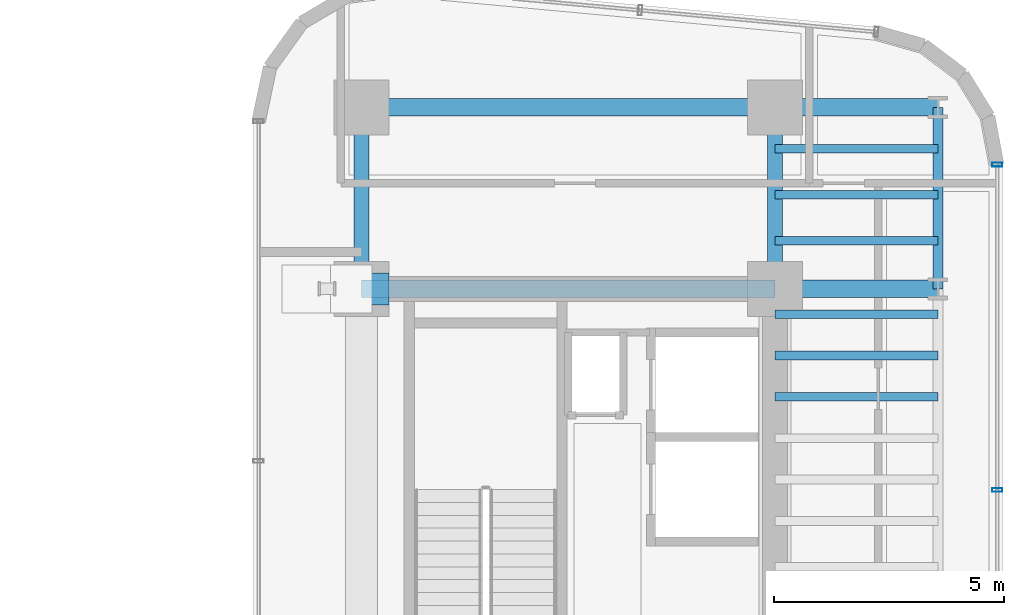
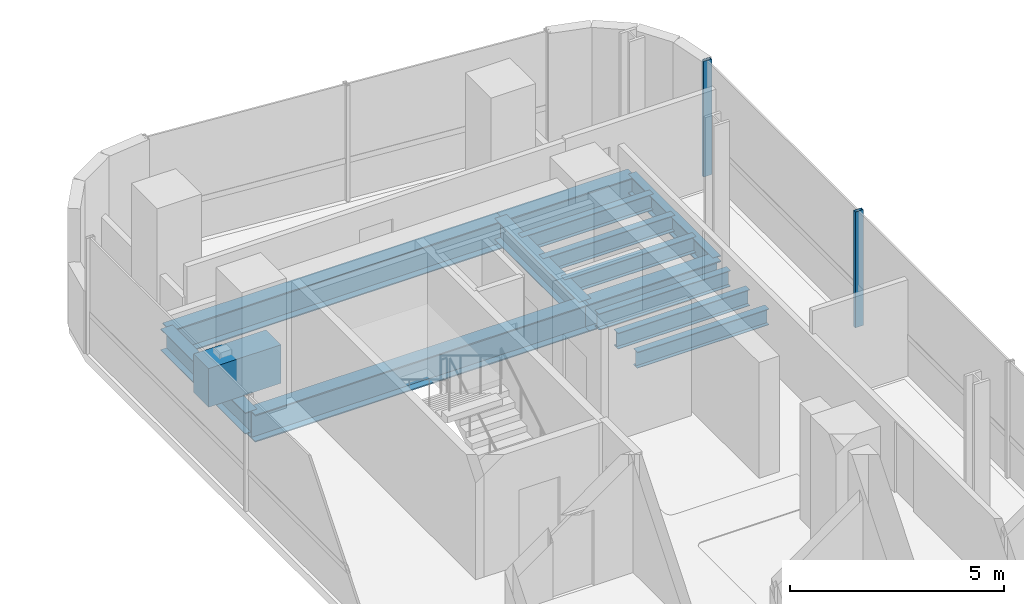
# One storey, part 18 of 35: 14 beams, 2 members, 1 element without a shape of its own.
"""IFC4 building model written with IfcOpenShell, lengths in metres."""

from ifc_helpers import new_model, si_unit, direction, frame, origin, origin_2d, place, context, subcontext, project, spatial, rectangle, hollow_rectangle, i_section, extrude, source, transform, mapped, material, material_profile, profile_set, type_object, element, aggregate, save


model = new_model("IFC4")

# Units and contexts
model_context = context("Model", 3, precision=1e-05, world=origin(), true_north=direction((0.0, 1.0)))
body_context = subcontext(model_context, "Body", "Model", "MODEL_VIEW")
ifc_project = project(units=[si_unit("LENGTHUNIT", "METRE"), si_unit("AREAUNIT", "SQUARE_METRE"), si_unit("VOLUMEUNIT", "CUBIC_METRE"), si_unit("PLANEANGLEUNIT", "RADIAN"), si_unit("MASSUNIT", "GRAM", prefix="KILO")], contexts=[model_context])

# Site, building, storey
site_placement = place(None, origin())
site = spatial("IfcSite", under=ifc_project, at=site_placement, CompositionType="ELEMENT")
building_placement = place(site_placement, origin())
building = spatial("IfcBuilding", under=site, at=building_placement, Name="Valdorenza Pilgrim Sanctuary Tower", CompositionType="ELEMENT")
storey_placement = place(building_placement, frame((0.0, 0.0, 168.60009765625)))
storey = spatial("IfcBuildingStorey", under=building, at=storey_placement, Name="L43", CompositionType="ELEMENT", Elevation=168.60009765625)

# Beams
ifc_material_1 = material(Name="Steel ASTM A992 Grade 50", Category="steel")
ifc_material_profile_1 = material_profile(ifc_material_1, i_section(OverallWidth=0.323974609375, OverallDepth=0.611083984375, WebThickness=0.0126953125, FlangeThickness=0.01904296875, at=origin_2d()), Name="W24X104")
ifc_profile_set_1 = profile_set([ifc_material_profile_1], Name="Steel ASTM A992 Grade 50")
beam_type_1 = type_object("IfcBeamType", Name="STR-BM-GRD-W24B", PredefinedType="BEAM", material=ifc_profile_set_1)
shared_shape_1 = source(origin(), body_context, "Body", "SweptSolid", [
    extrude(i_section(OverallWidth=0.323974609375, OverallDepth=0.611083984375, WebThickness=0.0126953125, FlangeThickness=0.01904296875, at=origin_2d()), origin(), (0.0, 0.0, 1.0), 3.949951171875),
])
for number, where, z_axis, x_axis, name in (
    (1, (15.85009765625, 9.550048828125, -0.545654296875), (0.0, 1.0, 0.0), (-1.0, 0.0, 0.0), "L43 Core Tie Girder CB-W-N1N2"),
    (2, (24.85009765625, 9.550048828125, -0.545654296875), (0.0, 1.0, 0.0), (-1.0, 0.0, 0.0), "L43 Core Tie Girder CB-E-N1N2"),
):
    element("IfcBeam", number, at=place(storey_placement, frame(where, z_axis=z_axis, x_axis=x_axis)), inside=storey, type_object=beam_type_1, Name=name, PredefinedType="BEAM", context=body_context, shape_type="MappedRepresentation", body=[
        mapped(shared_shape_1, transform((0.0, 0.0, 0.0), x_axis=(1.0, 0.0, 0.0), y_axis=(0.0, 1.0, 0.0), z_axis=(0.0, 0.0, 1.0), scale=1.0)),
    ])
ifc_material_profile_2 = material_profile(ifc_material_1, i_section(OverallWidth=0.214111328125, OverallDepth=0.549072265625, WebThickness=0.0146484375, FlangeThickness=0.023681640625, at=origin_2d()), Name="W21X93")
ifc_profile_set_2 = profile_set([ifc_material_profile_2], Name="Steel ASTM A992 Grade 50")
beam_type_2 = type_object("IfcBeamType", Name="STR-BM-SPN-W21A", PredefinedType="SPANDREL", material=ifc_profile_set_2)
shared_shape_2 = source(origin(), body_context, "Body", "SweptSolid", [
    extrude(i_section(OverallWidth=0.214111328125, OverallDepth=0.549072265625, WebThickness=0.0146484375, FlangeThickness=0.023681640625, at=origin_2d()), origin(), (0.0, 0.0, 1.0), 3.949951171875),
])
beam_1_placement = place(storey_placement, frame((28.39990234375, 9.550048828125, -0.5146484375), z_axis=(0.0, 1.0, 0.0), x_axis=(-1.0, 0.0, 0.0)))
element("IfcBeam", 3, at=beam_1_placement, inside=storey, type_object=beam_type_2, Name="L43 Spandrel Beam WB-E-N1N2", PredefinedType="SPANDREL", context=body_context, shape_type="MappedRepresentation", body=[
    mapped(shared_shape_2, transform((0.0, 0.0, 0.0), x_axis=(1.0, 0.0, 0.0), y_axis=(0.0, 1.0, 0.0), z_axis=(0.0, 0.0, 1.0), scale=1.0)),
])
ifc_material_profile_3 = material_profile(ifc_material_1, i_section(OverallWidth=0.382080078125, OverallDepth=0.779052734375, WebThickness=0.01806640625, FlangeThickness=0.030029296875, at=origin_2d()), Name="W30X191")
ifc_profile_set_3 = profile_set([ifc_material_profile_3], Name="Steel ASTM A992 Grade 50")
beam_type_3 = type_object("IfcBeamType", Name="STR-BM-GRD-W30", PredefinedType="BEAM", material=ifc_profile_set_3)
shared_shape_3 = source(origin(), body_context, "Body", "SweptSolid", [
    extrude(i_section(OverallWidth=0.382080078125, OverallDepth=0.779052734375, WebThickness=0.01806640625, FlangeThickness=0.030029296875, at=origin_2d()), origin(), (0.0, 0.0, 1.0), 9.0),
])
for number, where, z_axis, x_axis, name in (
    (4, (15.85009765625, 9.550048828125, -0.629638671875), (1.0, 0.0, 0.0), (0.0, 1.0, 0.0), "L43 Floor Girder CB-XC-N1"),
    (5, (15.85009765625, 13.5, -0.629638671875), (1.0, 0.0, 0.0), (0.0, 1.0, 0.0), "L43 Floor Girder CB-XC-N2"),
):
    element("IfcBeam", number, at=place(storey_placement, frame(where, z_axis=z_axis, x_axis=x_axis)), inside=storey, type_object=beam_type_3, Name=name, PredefinedType="BEAM", context=body_context, shape_type="MappedRepresentation", body=[
        mapped(shared_shape_3, transform((0.0, 0.0, 0.0), x_axis=(1.0, 0.0, 0.0), y_axis=(0.0, 1.0, 0.0), z_axis=(0.0, 0.0, 1.0), scale=1.0)),
    ])
shared_shape_4 = source(origin(), body_context, "Body", "SweptSolid", [
    extrude(i_section(OverallWidth=0.382080078125, OverallDepth=0.779052734375, WebThickness=0.01806640625, FlangeThickness=0.030029296875, at=origin_2d()), origin(), (0.0, 0.0, 1.0), 3.5498046875),
])
for number, where, z_axis, x_axis, name in (
    (6, (24.85009765625, 9.550048828125, -0.629638671875), (1.0, 0.0, 0.0), (0.0, 1.0, 0.0), "L43 Floor Girder WB-XE-N1"),
    (7, (24.85009765625, 13.5, -0.629638671875), (1.0, 0.0, 0.0), (0.0, 1.0, 0.0), "L43 Floor Girder WB-XE-N2"),
):
    element("IfcBeam", number, at=place(storey_placement, frame(where, z_axis=z_axis, x_axis=x_axis)), inside=storey, type_object=beam_type_3, Name=name, PredefinedType="BEAM", context=body_context, shape_type="MappedRepresentation", body=[
        mapped(shared_shape_4, transform((0.0, 0.0, 0.0), x_axis=(1.0, 0.0, 0.0), y_axis=(0.0, 1.0, 0.0), z_axis=(0.0, 0.0, 1.0), scale=1.0)),
    ])
ifc_material_profile_4 = material_profile(ifc_material_1, i_section(OverallWidth=0.19091796875, OverallDepth=0.45703125, WebThickness=0.009033203125, FlangeThickness=0.014404296875, at=origin_2d()), Name="W18X50")
ifc_profile_set_4 = profile_set([ifc_material_profile_4], Name="Steel ASTM A992 Grade 50")
beam_type_4 = type_object("IfcBeamType", Name="STR-BM-JST-W18B", PredefinedType="JOIST", material=ifc_profile_set_4)
shared_shape_5 = source(origin(), body_context, "Body", "SweptSolid", [
    extrude(i_section(OverallWidth=0.19091796875, OverallDepth=0.45703125, WebThickness=0.009033203125, FlangeThickness=0.014404296875, at=origin_2d()), origin(), (0.0, 0.0, 1.0), 3.5498046875),
])
for number, where, z_axis, x_axis, name in (
    (8, (24.85009765625, 7.199951171875, -0.468505859375), (1.0, 0.0, 0.0), (0.0, 1.0, 0.0), "L43 Composite Floor Joist JST-WB-16"),
    (9, (24.85009765625, 8.10009765625, -0.468505859375), (1.0, 0.0, 0.0), (0.0, 1.0, 0.0), "L43 Composite Floor Joist JST-WB-17"),
    (10, (24.85009765625, 9.0, -0.468505859375), (1.0, 0.0, 0.0), (0.0, 1.0, 0.0), "L43 Composite Floor Joist JST-WB-18"),
    (11, (24.85009765625, 10.60009765625, -0.468505859375), (1.0, 0.0, 0.0), (0.0, 1.0, 0.0), "L43 Composite Floor Joist JST-WB-19"),
    (12, (24.85009765625, 11.60009765625, -0.468505859375), (1.0, 0.0, 0.0), (0.0, 1.0, 0.0), "L43 Composite Floor Joist JST-WB-20"),
    (13, (24.85009765625, 12.60009765625, -0.468505859375), (1.0, 0.0, 0.0), (0.0, 1.0, 0.0), "L43 Composite Floor Joist JST-WB-21"),
):
    element("IfcBeam", number, at=place(storey_placement, frame(where, z_axis=z_axis, x_axis=x_axis)), inside=storey, type_object=beam_type_4, Name=name, PredefinedType="JOIST", context=body_context, shape_type="MappedRepresentation", body=[
        mapped(shared_shape_5, transform((0.0, 0.0, 0.0), x_axis=(1.0, 0.0, 0.0), y_axis=(0.0, 1.0, 0.0), z_axis=(0.0, 0.0, 1.0), scale=1.0)),
    ])
ifc_material_2 = material(Name="Concrete C50/60", Category="concrete")
ifc_material_profile_5 = material_profile(ifc_material_2, rectangle(XDim=0.699951171875, YDim=1.10009765625, at=origin_2d()), Name="RC 1100x700")
ifc_profile_set_5 = profile_set([ifc_material_profile_5], Name="Concrete C50/60")
beam_type_5 = type_object("IfcBeamType", Name="STR-BM-LNT-1100", PredefinedType="LINTEL", material=ifc_profile_set_5)
shared_shape_6 = source(origin(), body_context, "Body", "SweptSolid", [
    extrude(rectangle(XDim=0.699951171875, YDim=1.10009765625, at=origin_2d()), origin(), (0.0, 0.0, 1.0), 1.949951171875),
])
beam_2_placement = place(storey_placement, frame((14.5, 9.550048828125, 1.099853515625), z_axis=(1.0, 0.0, 0.0), x_axis=(0.0, 1.0, 0.0)))
element("IfcBeam", 14, at=beam_2_placement, inside=storey, type_object=beam_type_5, Name="L44 Wing B Portal Bridge 750 mm Corbel Seat 1", PredefinedType="LINTEL", context=body_context, shape_type="MappedRepresentation", body=[
    mapped(shared_shape_6, transform((0.0, 0.0, 0.0), x_axis=(1.0, 0.0, 0.0), y_axis=(0.0, 1.0, 0.0), z_axis=(0.0, 0.0, 1.0), scale=1.0)),
])

# Curtain wall, members
ifc_material_3 = material(Name="Curtain-wall IGU glazing", Category="glass")
curtain_wall_type = type_object("IfcCurtainWallType", Name="CW-SYS-03", PredefinedType="NOTDEFINED", material=ifc_material_3)
curtain_wall_placement = place(storey_placement, origin())
curtain_wall = element("IfcCurtainWall", 15, at=curtain_wall_placement, inside=storey, type_object=curtain_wall_type, Name="L43 Curtain Wall CW-L43-2-11", PredefinedType="NOTDEFINED")
ifc_material_4 = material(Name="Anodised aluminium AW-6060", Category="aluminium")
ifc_material_profile_6 = material_profile(ifc_material_4, hollow_rectangle(XDim=0.0849609375, YDim=0.219970703125, WallThickness=0.0048828125, at=origin_2d()), Name="ALU-M 220x85x5")
ifc_profile_set_6 = profile_set([ifc_material_profile_6], Name="Anodised aluminium AW-6060")
member_type = type_object("IfcMemberType", Name="CW-MUL-03", PredefinedType="MULLION", material=ifc_profile_set_6)
shared_shape_7 = source(origin(), body_context, "Body", "SweptSolid", [
    extrude(hollow_rectangle(XDim=0.0849609375, YDim=0.219970703125, WallThickness=0.0048828125, at=origin_2d()), origin(), (0.0, 0.0, 1.0), 3.2998046875),
])
member_1_placement = place(storey_placement, frame((29.68994140625, 12.253173828125, 0.0), z_axis=(0.0, 0.0, 1.0), x_axis=(0.0, -1.0, 0.0)))
member_1 = element("IfcMember", 16, at=member_1_placement, type_object=member_type, Name="CW-L43-2-11 Mullion 1", PredefinedType="MULLION", context=body_context, shape_type="MappedRepresentation", body=[
    mapped(shared_shape_7, transform((0.0, 0.0, 0.0), x_axis=(1.0, 0.0, 0.0), y_axis=(0.0, 1.0, 0.0), z_axis=(0.0, 0.0, 1.0), scale=1.0)),
])
member_2_placement = place(storey_placement, frame((29.68994140625, 5.17236328125, 0.0), z_axis=(0.0, 0.0, 1.0), x_axis=(0.0, -1.0, 0.0)))
member_2 = element("IfcMember", 17, at=member_2_placement, type_object=member_type, Name="CW-L43-2-11 Mullion 2", PredefinedType="MULLION", context=body_context, shape_type="MappedRepresentation", body=[
    mapped(shared_shape_7, transform((0.0, 0.0, 0.0), x_axis=(1.0, 0.0, 0.0), y_axis=(0.0, 1.0, 0.0), z_axis=(0.0, 0.0, 1.0), scale=1.0)),
])
aggregate(curtain_wall, [member_1, member_2])

save(model, "model.ifc")
